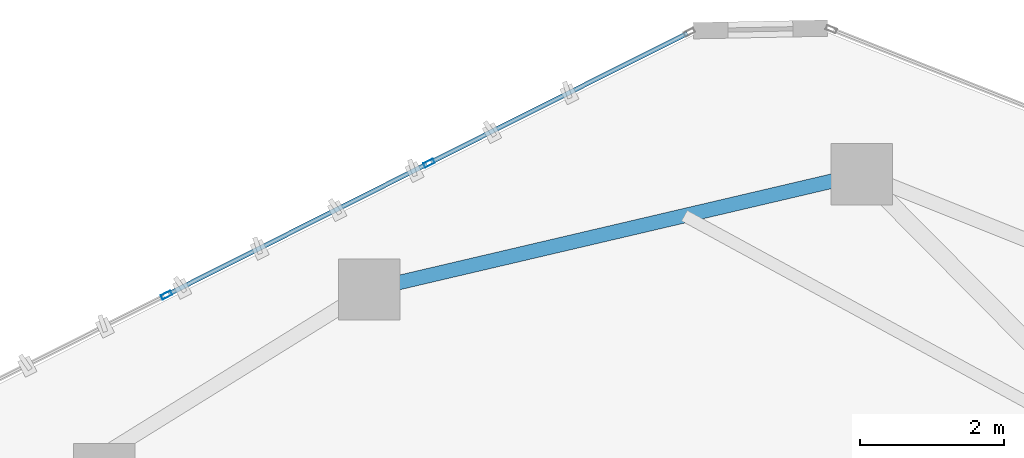
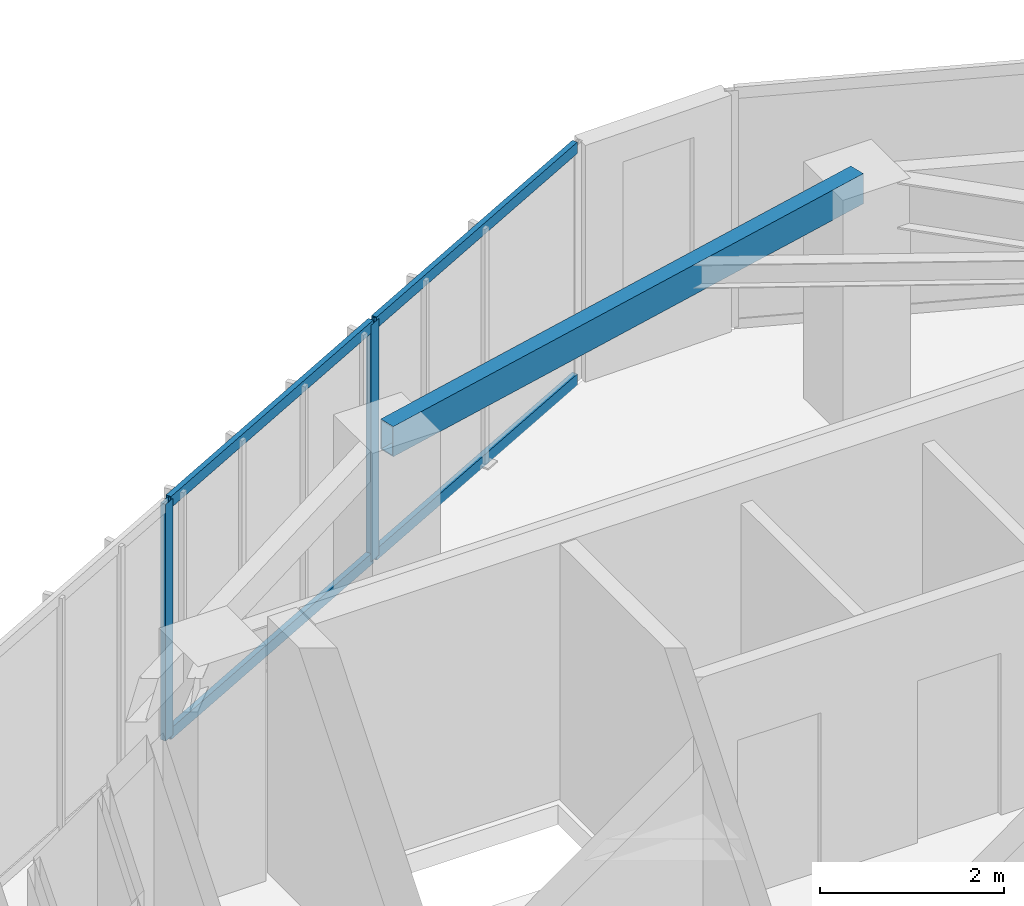
# One storey, part 11 of 21: 6 members, 1 beam, 1 element without a shape of its own.
"""IFC4 building model written with IfcOpenShell, lengths in metres."""

from ifc_helpers import new_model, si_unit, direction, frame, origin, origin_2d, place, context, subcontext, project, spatial, hollow_rectangle, extrude, source, transform, mapped, material, layer, layer_set, material_profile, profile_set, type_object, type_shapes, element, aggregate, save


model = new_model("IFC4")

# Units and contexts
model_context = context("Model", 3, precision=1e-05, world=origin(), true_north=direction((0.0, 1.0)))
body_context = subcontext(model_context, "Body", "Model", "MODEL_VIEW")
ifc_project = project(units=[si_unit("LENGTHUNIT", "METRE"), si_unit("AREAUNIT", "SQUARE_METRE"), si_unit("VOLUMEUNIT", "CUBIC_METRE"), si_unit("PLANEANGLEUNIT", "RADIAN"), si_unit("MASSUNIT", "GRAM", prefix="KILO")], contexts=[model_context])

# Site, building, storey
site_placement = place(None, origin())
site = spatial("IfcSite", under=ifc_project, at=site_placement, CompositionType="ELEMENT")
building_placement = place(site_placement, origin())
building = spatial("IfcBuilding", under=site, at=building_placement, Name="Talar Marvaseh", CompositionType="ELEMENT")
storey_placement = place(building_placement, frame((0.0, 0.0, 264.60009765625)))
storey = spatial("IfcBuildingStorey", under=building, at=storey_placement, Name="L70", CompositionType="ELEMENT", Elevation=264.60009765625)

# Beam
ifc_material_1 = material(Name="Steel S355", Category="steel")
ifc_material_profile_1 = material_profile(ifc_material_1, hollow_rectangle(XDim=0.199951171875, YDim=0.39990234375, WallThickness=0.013916015625, at=origin_2d()), Name="RHS400x200x14")
ifc_profile_set_1 = profile_set([ifc_material_profile_1], Name="Steel S355")
beam_type = type_object("IfcBeamType", Name="Zone 3 Perimeter Spandrel Beam RHS400x200x14", PredefinedType="SPANDREL", material=ifc_profile_set_1)
beam_placement = place(storey_placement, frame((22.364990234375, 39.4541015625, 2.93994140625), z_axis=(0.973655602276, 0.228023613157, 0.0), x_axis=(-0.228023613157, 0.973655602276, 0.0)))
element("IfcBeam", 1, at=beam_placement, inside=storey, type_object=beam_type, Name="L70 Zone 3 Perimeter Spandrel Beam RHS400x200x14", PredefinedType="SPANDREL", context=body_context, shape_type="SweptSolid", body=[
    extrude(hollow_rectangle(XDim=0.199951171875, YDim=0.39990234375, WallThickness=0.013916015625, at=origin_2d()), origin(), (0.0, 0.0, 1.0), 7.007568359375),
])

# Curtain wall, members
ifc_material_2 = material(Name="Architectural Aluminium", Category="aluminium")
ifc_layer = layer(ifc_material_2, 0.179931640625)
ifc_layer_set = layer_set([ifc_layer], Name="Architectural Aluminium")
curtain_wall_type = type_object("IfcCurtainWallType", Name="Unitised High-Wind Sky Curtain Wall Z4", PredefinedType="NOTDEFINED", material=ifc_layer_set)
curtain_wall_placement = place(storey_placement, origin())
curtain_wall = element("IfcCurtainWall", 2, at=curtain_wall_placement, inside=storey, type_object=curtain_wall_type, Name="L70 Unitised High-Wind Sky Curtain Wall Z4", PredefinedType="NOTDEFINED")
ifc_material_profile_2 = material_profile(ifc_material_2, hollow_rectangle(XDim=0.06494140625, YDim=0.14990234375, WallThickness=0.00390625, at=origin_2d()), Name="RHS150x65x4")
ifc_profile_set_2 = profile_set([ifc_material_profile_2], Name="Architectural Aluminium")
member_type_1 = type_object("IfcMemberType", Name="Unitised Curtain Wall Slim Mullion RHS150x65x4", PredefinedType="MULLION", material=ifc_profile_set_2)
shared_shape_1 = source(origin(), body_context, "Body", "SweptSolid", [
    extrude(hollow_rectangle(XDim=0.06494140625, YDim=0.14990234375, WallThickness=0.00390625, at=origin_2d()), origin(), (0.0, 0.0, 1.0), 3.139892578125),
])
type_shapes(member_type_1, [shared_shape_1])
member_1_placement = place(storey_placement, frame((19.559326171875, 39.377685546875, 0.0), z_axis=(0.0, 0.0, 1.0), x_axis=(-0.449034728226, 0.893514304781, 0.0)))
member_1 = element("IfcMember", 3, at=member_1_placement, type_object=member_type_1, Name="CW-Z4 mullion 2", PredefinedType="MULLION", context=body_context, shape_type="MappedRepresentation", body=[
    mapped(shared_shape_1, transform((0.0, 0.0, 0.0), x_axis=(1.0, 0.0, 0.0), y_axis=(0.0, 1.0, 0.0), z_axis=(0.0, 0.0, 1.0), scale=1.0)),
])
member_2_placement = place(storey_placement, frame((23.19482421875, 41.20458984375, 0.0), z_axis=(0.0, 0.0, 1.0), x_axis=(-0.449034728226, 0.893514304781, 0.0)))
member_2 = element("IfcMember", 4, at=member_2_placement, type_object=member_type_1, Name="CW-Z4 mullion 3", PredefinedType="MULLION", context=body_context, shape_type="MappedRepresentation", body=[
    mapped(shared_shape_1, transform((0.0, 0.0, 0.0), x_axis=(1.0, 0.0, 0.0), y_axis=(0.0, 1.0, 0.0), z_axis=(0.0, 0.0, 1.0), scale=1.0)),
])
ifc_material_profile_3 = material_profile(ifc_material_2, hollow_rectangle(XDim=0.06494140625, YDim=0.14990234375, WallThickness=0.00390625, at=origin_2d()), Name="RHS150x65x4")
ifc_profile_set_3 = profile_set([ifc_material_profile_3], Name="Architectural Aluminium")
member_type_2 = type_object("IfcMemberType", Name="Unitised Curtain Wall Slim Transom RHS150x65x4", PredefinedType="USERDEFINED", material=ifc_profile_set_3)
shared_shape_2 = source(origin(), body_context, "Body", "SweptSolid", [
    extrude(hollow_rectangle(XDim=0.06494140625, YDim=0.14990234375, WallThickness=0.00390625, at=origin_2d()), origin(), (0.0, 0.0, 1.0), 3.97119140625),
])
member_3_placement = place(storey_placement, frame((23.223876953125, 41.21923828125, 0.032470703125), z_axis=(0.893540136548, 0.44898332305, 0.0), x_axis=(-0.44898332305, 0.893540136548, 0.0)))
member_3 = element("IfcMember", 5, at=member_3_placement, type_object=member_type_2, Name="CW-Z4 transom 3.1", ObjectType="TRANSOM", PredefinedType="USERDEFINED", context=body_context, shape_type="MappedRepresentation", body=[
    mapped(shared_shape_2, transform((0.0, 0.0, 0.0), x_axis=(1.0, 0.0, 0.0), y_axis=(0.0, 1.0, 0.0), z_axis=(0.0, 0.0, 1.0), scale=1.0)),
])
member_4_placement = place(storey_placement, frame((23.223876953125, 41.21923828125, 3.107421875), z_axis=(0.893540136548, 0.44898332305, 0.0), x_axis=(-0.44898332305, 0.893540136548, 0.0)))
member_4 = element("IfcMember", 6, at=member_4_placement, type_object=member_type_2, Name="CW-Z4 transom 3.2", ObjectType="TRANSOM", PredefinedType="USERDEFINED", context=body_context, shape_type="MappedRepresentation", body=[
    mapped(shared_shape_2, transform((0.0, 0.0, 0.0), x_axis=(1.0, 0.0, 0.0), y_axis=(0.0, 1.0, 0.0), z_axis=(0.0, 0.0, 1.0), scale=1.0)),
])
shared_shape_3 = source(origin(), body_context, "Body", "SweptSolid", [
    extrude(hollow_rectangle(XDim=0.06494140625, YDim=0.14990234375, WallThickness=0.00390625, at=origin_2d()), origin(), (0.0, 0.0, 1.0), 4.003662109375),
])
type_shapes(member_type_2, [shared_shape_2, shared_shape_3])
member_5_placement = place(storey_placement, frame((19.58837890625, 39.39208984375, 0.032470703125), z_axis=(0.893510650239, 0.449042000161, 0.0), x_axis=(-0.449042000161, 0.893510650239, 0.0)))
member_5 = element("IfcMember", 7, at=member_5_placement, type_object=member_type_2, Name="CW-Z4 transom 2.1", ObjectType="TRANSOM", PredefinedType="USERDEFINED", context=body_context, shape_type="MappedRepresentation", body=[
    mapped(shared_shape_3, transform((0.0, 0.0, 0.0), x_axis=(1.0, 0.0, 0.0), y_axis=(0.0, 1.0, 0.0), z_axis=(0.0, 0.0, 1.0), scale=1.0)),
])
member_6_placement = place(storey_placement, frame((19.58837890625, 39.39208984375, 3.107421875), z_axis=(0.893510650239, 0.449042000161, 0.0), x_axis=(-0.449042000161, 0.893510650239, 0.0)))
member_6 = element("IfcMember", 8, at=member_6_placement, type_object=member_type_2, Name="CW-Z4 transom 2.2", ObjectType="TRANSOM", PredefinedType="USERDEFINED", context=body_context, shape_type="MappedRepresentation", body=[
    mapped(shared_shape_3, transform((0.0, 0.0, 0.0), x_axis=(1.0, 0.0, 0.0), y_axis=(0.0, 1.0, 0.0), z_axis=(0.0, 0.0, 1.0), scale=1.0)),
])
aggregate(curtain_wall, [member_1, member_2, member_5, member_6, member_3, member_4])

save(model, "model.ifc")
